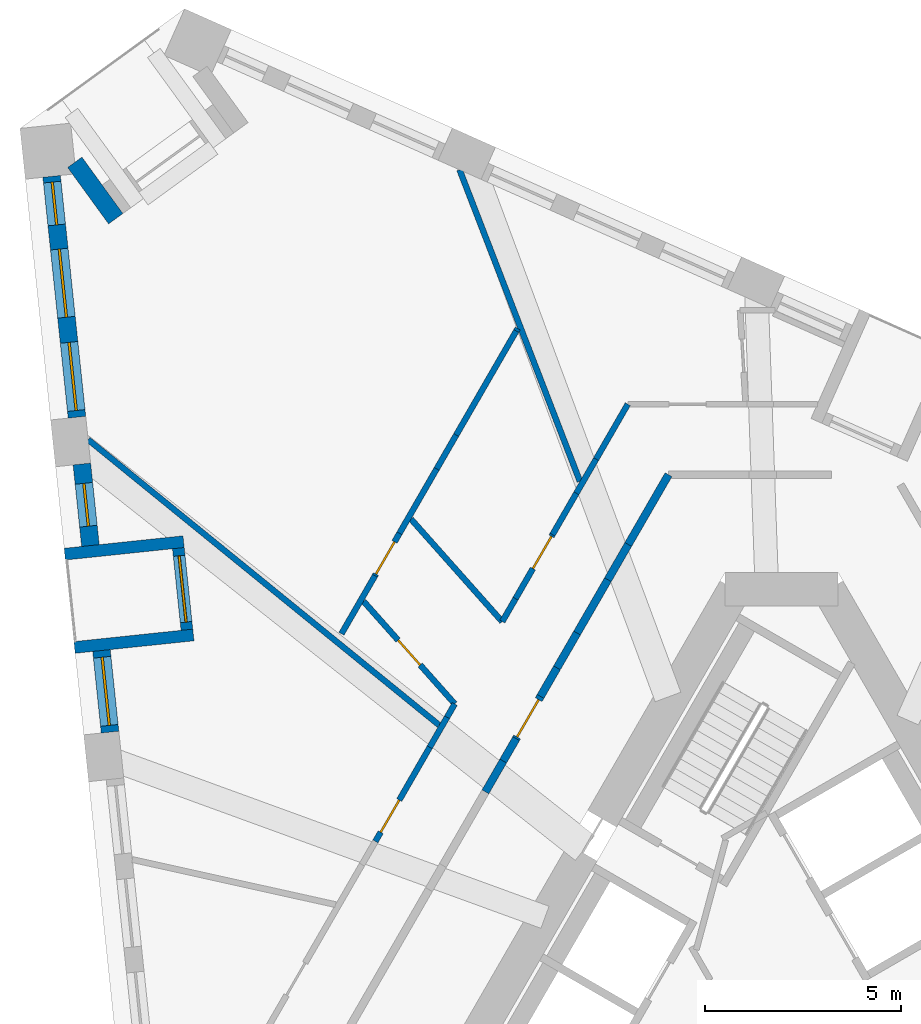
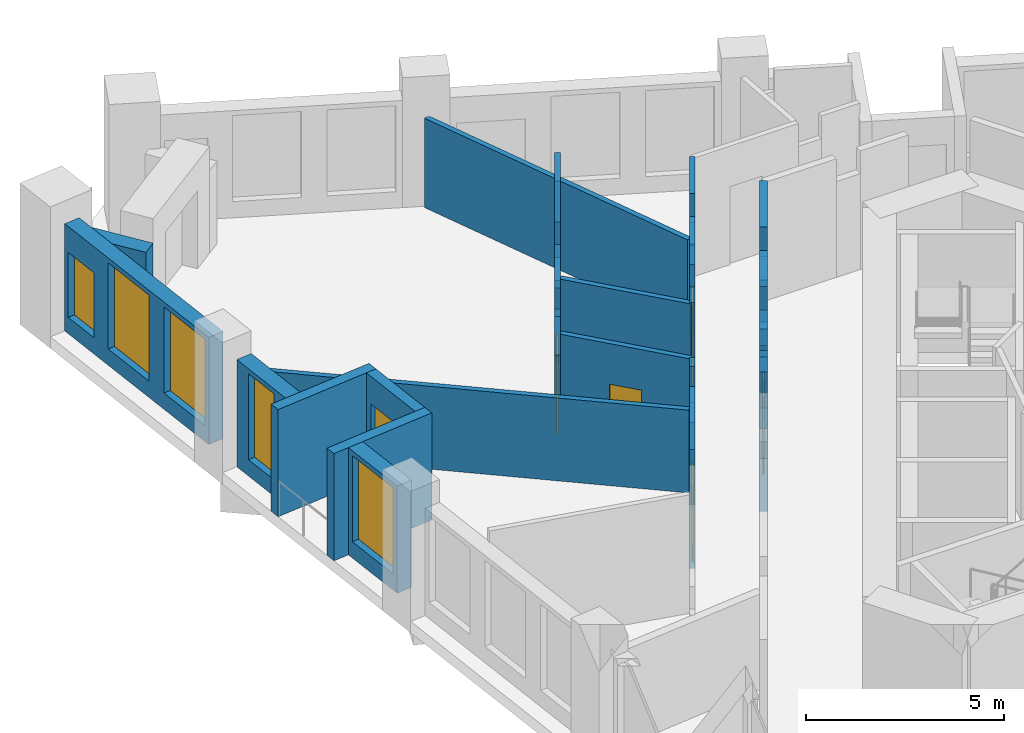
# One storey, part 7 of 14: 33 walls, 6 doors, 5 windows, 11 openings.
"""IFC4 building model written with IfcOpenShell, lengths in metres."""

from ifc_helpers import new_model, si_unit, direction, frame, frame_2d, origin, place, context, subcontext, project, spatial, polyline, rectangle, outline, extrude, material, layer, layer_set, type_object, element, fill, save


model = new_model("IFC4")

# Units and contexts
model_context = context("Model", 3, precision=1e-05, world=origin(), true_north=direction((0.0, 1.0)))
body_context = subcontext(model_context, "Body", "Model", "MODEL_VIEW")
ifc_project = project(units=[si_unit("LENGTHUNIT", "METRE"), si_unit("AREAUNIT", "SQUARE_METRE"), si_unit("VOLUMEUNIT", "CUBIC_METRE"), si_unit("PLANEANGLEUNIT", "RADIAN"), si_unit("MASSUNIT", "GRAM", prefix="KILO")], contexts=[model_context])

# Site, building, storey
site_placement = place(None, origin())
site = spatial("IfcSite", under=ifc_project, at=site_placement, CompositionType="ELEMENT")
building_placement = place(site_placement, origin())
building = spatial("IfcBuilding", under=site, at=building_placement, Name="Tramontana Tower", CompositionType="ELEMENT")
storey_placement = place(building_placement, frame((0.0, 0.0, 162.800048828125)))
storey = spatial("IfcBuildingStorey", under=building, at=storey_placement, Name="L37", CompositionType="ELEMENT", Elevation=162.800048828125)

# Walls
ifc_material_1 = material(Name="Blockwork", Category="masonry")
ifc_layer_1 = layer(ifc_material_1, 0.199951171875)
ifc_layer_set_1 = layer_set([ifc_layer_1], Name="ENTRY WALL 200")
wall_type_1 = type_object("IfcWallType", Name="ENTRY WALL 200", PredefinedType="SOLIDWALL", material=ifc_layer_set_1)
wall_1_placement = place(storey_placement, frame((-7.561279296875, 5.403564453125, 0.0), z_axis=(0.0, 0.0, 1.0), x_axis=(0.499977996243, 0.866038107287, 0.0)))
element("IfcWall", 1, at=wall_1_placement, inside=storey, type_object=wall_type_1, Name="Wall v40-ew4-5", PredefinedType="SOLIDWALL", context=body_context, shape_type="SweptSolid", body=[
    extrude(rectangle(XDim=0.90966796875, YDim=0.199951171875, at=frame_2d((0.454833984375, 0.0))), origin(), (0.0, 0.0, 1.0), 2.550048828125),
])
wall_2_placement = place(storey_placement, frame((-7.1064453125, 6.19140625, 0.0), z_axis=(0.0, 0.0, 1.0), x_axis=(0.500160401961, 0.865932775861, 0.0)))
element("IfcWall", 2, at=wall_2_placement, inside=storey, type_object=wall_type_1, Name="Wall v40-ew4-6", PredefinedType="SOLIDWALL", context=body_context, shape_type="SweptSolid", body=[
    extrude(rectangle(XDim=0.659423828125, YDim=0.199951171875, at=frame_2d((0.32958984375, 0.0))), origin(), (0.0, 0.0, 1.0), 3.64990234375),
])

# Wall, opening, door
wall_3_placement = place(storey_placement, frame((-6.776611328125, 6.762451171875, 0.0), z_axis=(0.0, 0.0, 1.0), x_axis=(0.499977039259, 0.866038659768, 0.0)))
wall_3 = element("IfcWall", 3, at=wall_3_placement, inside=storey, type_object=wall_type_1, Name="Wall v40-ew4-7", PredefinedType="SOLIDWALL", context=body_context, shape_type="SweptSolid", body=[
    extrude(outline(polyline([(0.0, 0.0), (1.2451171875, 0.0), (1.2451171875, 2.550048828125), (0.291748046875, 2.550048828125), (0.291748046875, 3.64990234375), (0.0, 3.64990234375), (0.0, 0.0)])), frame((0.0, 0.10009765625, 0.0), z_axis=(0.0, -1.0, 0.0), x_axis=(1.0, 0.0, 0.0)), (0.0, 0.0, 1.0), 0.199951171875),
])
opening_1_placement = place(wall_3_placement, frame((0.050048828125, 0.0, 0.0)))
opening_1 = element("IfcOpeningElement", 4, at=opening_1_placement, cuts=wall_3, Name="Opening B4A-22", PredefinedType="OPENING", context=body_context, shape_type="SweptSolid", body=[
    extrude(rectangle(XDim=1.10009765625, YDim=2.39990234375, at=frame_2d((0.550048828125, 1.199951171875))), frame((0.0, 0.10986328125, 0.0), z_axis=(0.0, -1.0, 0.0), x_axis=(1.0, 0.0, 0.0)), (0.0, 0.0, 1.0), 0.219970703125),
])
ifc_material_2 = material(Name="Painted timber", Category="wood")
door_type_1 = type_object("IfcDoorType", Name="DOOR ENTRY 1100", OperationType="SINGLE_SWING_LEFT", PredefinedType="DOOR", material=ifc_material_2)
door_1_placement = place(opening_1_placement, origin())
door_1 = element("IfcDoor", 5, at=door_1_placement, inside=storey, type_object=door_type_1, Name="Door B4A-22", OperationType="SINGLE_SWING_RIGHT", OverallHeight=2.39990234375, OverallWidth=1.10009765625, PredefinedType="DOOR", context=body_context, shape_type="SweptSolid", body=[
    extrude(rectangle(XDim=1.10009765625, YDim=2.39990234375, at=frame_2d((0.550048828125, 1.199951171875))), frame((0.0, 0.02490234375, 0.0), z_axis=(0.0, -1.0, 0.0), x_axis=(1.0, 0.0, 0.0)), (0.0, 0.0, 1.0), 0.050048828125),
])
fill(opening_1, door_1)

# Walls
wall_4_placement = place(storey_placement, frame((-6.154052734375, 7.8408203125, 0.0), z_axis=(0.0, 0.0, 1.0), x_axis=(0.499822960955, 0.8661275932, 0.0)))
element("IfcWall", 6, at=wall_4_placement, inside=storey, type_object=wall_type_1, Name="Wall v40-ew4-8", PredefinedType="SOLIDWALL", context=body_context, shape_type="SweptSolid", body=[
    extrude(rectangle(XDim=0.841064453125, YDim=0.199951171875, at=frame_2d((0.42041015625, 0.0))), origin(), (0.0, 0.0, 1.0), 3.64990234375),
])
wall_5_placement = place(storey_placement, frame((-5.733642578125, 8.5693359375, 0.0), z_axis=(0.0, 0.0, 1.0), x_axis=(0.500079402778, 0.865979555715, 0.0)))
element("IfcWall", 7, at=wall_5_placement, inside=storey, type_object=wall_type_1, Name="Wall v40-ew4-9", PredefinedType="SOLIDWALL", context=body_context, shape_type="SweptSolid", body=[
    extrude(rectangle(XDim=1.026123046875, YDim=0.199951171875, at=frame_2d((0.51318359375, 0.0))), origin(), (0.0, 0.0, 1.0), 2.550048828125),
])
wall_6_placement = place(storey_placement, frame((-5.220458984375, 9.4580078125, 0.0), z_axis=(0.0, 0.0, 1.0), x_axis=(0.500031717574, 0.86600709086, 0.0)))
element("IfcWall", 8, at=wall_6_placement, inside=storey, type_object=wall_type_1, Name="Wall v40-ew4-10", PredefinedType="SOLIDWALL", context=body_context, shape_type="SweptSolid", body=[
    extrude(rectangle(XDim=1.57177734375, YDim=0.199951171875, at=frame_2d((0.785888671875, 0.0))), origin(), (0.0, 0.0, 1.0), 3.64990234375),
])
wall_7_placement = place(storey_placement, frame((-4.4345703125, 10.819091796875, 0.0), z_axis=(0.0, 0.0, 1.0), x_axis=(0.500054530113, 0.86599391852, 0.0)))
element("IfcWall", 9, at=wall_7_placement, inside=storey, type_object=wall_type_1, Name="Wall v40-ew4-11", PredefinedType="SOLIDWALL", context=body_context, shape_type="SweptSolid", body=[
    extrude(rectangle(XDim=1.03955078125, YDim=0.199951171875, at=frame_2d((0.519775390625, 0.0))), origin(), (0.0, 0.0, 1.0), 2.75),
])
wall_8_placement = place(storey_placement, frame((-3.914794921875, 11.71923828125, 0.0), z_axis=(0.0, 0.0, 1.0), x_axis=(0.499982825521, 0.866035319247, 0.0)))
element("IfcWall", 10, at=wall_8_placement, inside=storey, type_object=wall_type_1, Name="Wall v40-ew4-12", PredefinedType="SOLIDWALL", context=body_context, shape_type="SweptSolid", body=[
    extrude(rectangle(XDim=2.05615234375, YDim=0.199951171875, at=frame_2d((1.028076171875, 0.0))), origin(), (0.0, 0.0, 1.0), 3.64990234375),
])

# Wall, openings, windows
ifc_material_3 = material(Name="Precast concrete 60 MPa", Category="concrete")
ifc_layer_2 = layer(ifc_material_3, 0.449951171875)
ifc_layer_set_2 = layer_set([ifc_layer_2], Name="Precast concrete 60 MPa, 450 mm")
wall_type_2 = type_object("IfcWallType", Name="EW1 Stone-faced precast wall 450", PredefinedType="SOLIDWALL", material=ifc_layer_set_2)
wall_9_placement = place(storey_placement, frame((-18.63427734375, 21.116455078125, 0.0), z_axis=(0.0, 0.0, 1.0), x_axis=(0.104522399115, -0.994522532718, 0.0)))
wall_9 = element("IfcWall", 11, at=wall_9_placement, inside=storey, type_object=wall_type_2, Name="External wall L37 face 0 bay 1", PredefinedType="SOLIDWALL", context=body_context, shape_type="SweptSolid", body=[
    extrude(rectangle(XDim=6.182861328125, YDim=0.449951171875, at=frame_2d((3.09130859375, 0.0))), origin(), (0.0, 0.0, 1.0), 3.300048828125),
])
opening_2_placement = place(wall_9_placement, frame((0.147216796875, 0.0, 0.5)))
opening_2 = element("IfcOpeningElement", 12, at=opening_2_placement, cuts=wall_9, Name="Opening N2L", PredefinedType="OPENING", context=body_context, shape_type="SweptSolid", body=[
    extrude(rectangle(XDim=1.10009765625, YDim=2.0, at=frame_2d((0.550048828125, 1.0))), frame((0.0, 0.23486328125, 0.0), z_axis=(0.0, -1.0, 0.0), x_axis=(1.0, 0.0, 0.0)), (0.0, 0.0, 1.0), 0.469970703125),
])
opening_3_placement = place(wall_9_placement, frame((1.866455078125, 0.0, 0.5)))
opening_3 = element("IfcOpeningElement", 13, at=opening_3_placement, cuts=wall_9, Name="Opening M2", PredefinedType="OPENING", context=body_context, shape_type="SweptSolid", body=[
    extrude(rectangle(XDim=1.75, YDim=2.64990234375, at=frame_2d((0.875, 1.324951171875))), frame((0.0, 0.23486328125, 0.0), z_axis=(0.0, -1.0, 0.0), x_axis=(1.0, 0.0, 0.0)), (0.0, 0.0, 1.0), 0.469970703125),
])
opening_4_placement = place(wall_9_placement, frame((4.2607421875, 0.0, 0.5)))
opening_4 = element("IfcOpeningElement", 14, at=opening_4_placement, cuts=wall_9, Name="Opening M2", PredefinedType="OPENING", context=body_context, shape_type="SweptSolid", body=[
    extrude(rectangle(XDim=1.75, YDim=2.64990234375, at=frame_2d((0.875, 1.324951171875))), frame((0.0, 0.23486328125, 0.0), z_axis=(0.0, -1.0, 0.0), x_axis=(1.0, 0.0, 0.0)), (0.0, 0.0, 1.0), 0.469970703125),
])
ifc_material_4 = material(Name="Aluminum frame, double glazing unit", Category="aluminium")
window_type_1 = type_object("IfcWindowType", Name="M2 Window 1.75 x 2.65", PartitioningType="SINGLE_PANEL", PredefinedType="WINDOW", material=ifc_material_4)
window_1_placement = place(opening_3_placement, origin())
window_1 = element("IfcWindow", 15, at=window_1_placement, inside=storey, type_object=window_type_1, Name="Window M2 L37 face 0 module 2", OverallHeight=2.64990234375, OverallWidth=1.75, PartitioningType="SINGLE_PANEL", PredefinedType="WINDOW", context=body_context, shape_type="SweptSolid", body=[
    extrude(rectangle(XDim=1.75, YDim=2.64990234375, at=frame_2d((0.875, 1.324951171875))), frame((0.0, 0.030029296875, 0.0), z_axis=(0.0, -1.0, 0.0), x_axis=(1.0, 0.0, 0.0)), (0.0, 0.0, 1.0), 0.06005859375),
])
fill(opening_3, window_1)
window_2_placement = place(opening_4_placement, origin())
window_2 = element("IfcWindow", 16, at=window_2_placement, inside=storey, type_object=window_type_1, Name="Window M2 L37 face 0 module 3", OverallHeight=2.64990234375, OverallWidth=1.75, PartitioningType="SINGLE_PANEL", PredefinedType="WINDOW", context=body_context, shape_type="SweptSolid", body=[
    extrude(rectangle(XDim=1.75, YDim=2.64990234375, at=frame_2d((0.875, 1.324951171875))), frame((0.0, 0.030029296875, 0.0), z_axis=(0.0, -1.0, 0.0), x_axis=(1.0, 0.0, 0.0)), (0.0, 0.0, 1.0), 0.06005859375),
])
fill(opening_4, window_2)
ifc_material_5 = material(Name="Aluminum frame, double glazing unit", Category="aluminium")
window_type_2 = type_object("IfcWindowType", Name="N2L Window 1.1 x 2", PartitioningType="SINGLE_PANEL", PredefinedType="WINDOW", material=ifc_material_5)
window_3_placement = place(opening_2_placement, origin())
window_3 = element("IfcWindow", 17, at=window_3_placement, inside=storey, type_object=window_type_2, Name="Window N2L L37 face 0 module 1", OverallHeight=2.0, OverallWidth=1.10009765625, PartitioningType="SINGLE_PANEL", PredefinedType="WINDOW", context=body_context, shape_type="SweptSolid", body=[
    extrude(rectangle(XDim=1.10009765625, YDim=2.0, at=frame_2d((0.550048828125, 1.0))), frame((0.0, 0.030029296875, 0.0), z_axis=(0.0, -1.0, 0.0), x_axis=(1.0, 0.0, 0.0)), (0.0, 0.0, 1.0), 0.06005859375),
])
fill(opening_2, window_3)

# Wall, opening, window
wall_10_placement = place(storey_placement, frame((-17.862548828125, 13.774169921875, 0.0), z_axis=(0.0, 0.0, 1.0), x_axis=(0.104442071108, -0.994530971756, 0.0)))
wall_10 = element("IfcWall", 18, at=wall_10_placement, inside=storey, type_object=wall_type_2, Name="External wall L37 face 0 bay 2", PredefinedType="SOLIDWALL", context=body_context, shape_type="SweptSolid", body=[
    extrude(rectangle(XDim=2.094482421875, YDim=0.449951171875, at=frame_2d((1.04736328125, 0.0))), origin(), (0.0, 0.0, 1.0), 3.300048828125),
])
opening_5_placement = place(wall_10_placement, frame((0.4970703125, 0.0, 0.5)))
opening_5 = element("IfcOpeningElement", 19, at=opening_5_placement, cuts=wall_10, Name="Opening N2", PredefinedType="OPENING", context=body_context, shape_type="SweptSolid", body=[
    extrude(rectangle(XDim=1.10009765625, YDim=2.64990234375, at=frame_2d((0.550048828125, 1.324951171875))), frame((0.0, 0.23486328125, 0.0), z_axis=(0.0, -1.0, 0.0), x_axis=(1.0, 0.0, 0.0)), (0.0, 0.0, 1.0), 0.469970703125),
])
ifc_material_6 = material(Name="Aluminum frame, double glazing unit", Category="aluminium")
window_type_3 = type_object("IfcWindowType", Name="N2 Window 1.1 x 2.65", PartitioningType="SINGLE_PANEL", PredefinedType="WINDOW", material=ifc_material_6)
window_4_placement = place(opening_5_placement, origin())
window_4 = element("IfcWindow", 20, at=window_4_placement, inside=storey, type_object=window_type_3, Name="Window N2 L37 face 0 module 4", OverallHeight=2.64990234375, OverallWidth=1.10009765625, PartitioningType="SINGLE_PANEL", PredefinedType="WINDOW", context=body_context, shape_type="SweptSolid", body=[
    extrude(rectangle(XDim=1.10009765625, YDim=2.64990234375, at=frame_2d((0.550048828125, 1.324951171875))), frame((0.0, 0.030029296875, 0.0), z_axis=(0.0, -1.0, 0.0), x_axis=(1.0, 0.0, 0.0)), (0.0, 0.0, 1.0), 0.06005859375),
])
fill(opening_5, window_4)

wall_11_placement = place(storey_placement, frame((-17.362060546875, 9.01171875, 0.0), z_axis=(0.0, 0.0, 1.0), x_axis=(0.104569484464, -0.994517583011, 0.0)))
wall_11 = element("IfcWall", 21, at=wall_11_placement, inside=storey, type_object=wall_type_2, Name="External wall L37 face 0 bay 2", PredefinedType="SOLIDWALL", context=body_context, shape_type="SweptSolid", body=[
    extrude(rectangle(XDim=2.09423828125, YDim=0.449951171875, at=frame_2d((1.047119140625, 0.0))), origin(), (0.0, 0.0, 1.0), 3.300048828125),
])
opening_6_placement = place(wall_11_placement, frame((0.172119140625, 0.0, 0.5)))
opening_6 = element("IfcOpeningElement", 22, at=opening_6_placement, cuts=wall_11, Name="Opening M2", PredefinedType="OPENING", context=body_context, shape_type="SweptSolid", body=[
    extrude(rectangle(XDim=1.75, YDim=2.64990234375, at=frame_2d((0.875, 1.324951171875))), frame((0.0, 0.23486328125, 0.0), z_axis=(0.0, -1.0, 0.0), x_axis=(1.0, 0.0, 0.0)), (0.0, 0.0, 1.0), 0.469970703125),
])
window_5_placement = place(opening_6_placement, origin())
window_5 = element("IfcWindow", 23, at=window_5_placement, inside=storey, type_object=window_type_1, Name="Window M2 L37 face 0 module 6", OverallHeight=2.64990234375, OverallWidth=1.75, PartitioningType="SINGLE_PANEL", PredefinedType="WINDOW", context=body_context, shape_type="SweptSolid", body=[
    extrude(rectangle(XDim=1.75, YDim=2.64990234375, at=frame_2d((0.875, 1.324951171875))), frame((0.0, 0.030029296875, 0.0), z_axis=(0.0, -1.0, 0.0), x_axis=(1.0, 0.0, 0.0)), (0.0, 0.0, 1.0), 0.06005859375),
])
fill(opening_6, window_5)

# Wall
wall_12_placement = place(storey_placement, frame((-18.04345703125, 21.474853515625, 0.0), z_axis=(0.0, 0.0, 1.0), x_axis=(0.587722853316, -0.809062326209, 0.0)))
element("IfcWall", 24, at=wall_12_placement, inside=storey, type_object=wall_type_2, Name="Corner loggia side wall L37 K40l", PredefinedType="SOLIDWALL", context=body_context, shape_type="SweptSolid", body=[
    extrude(rectangle(XDim=1.779052734375, YDim=0.449951171875, at=frame_2d((0.8896484375, 0.0))), origin(), (0.0, 0.0, 1.0), 2.550048828125),
])

# Wall, opening, door
ifc_material_7 = material(Name="Precast concrete 60 MPa", Category="concrete")
ifc_layer_3 = layer(ifc_material_7, 0.300048828125)
ifc_layer_set_3 = layer_set([ifc_layer_3], Name="LW1 Stone-faced loggia wall 300")
wall_type_3 = type_object("IfcWallType", Name="LW1 Stone-faced loggia wall 300", PredefinedType="SOLIDWALL", material=ifc_layer_set_3)
wall_13_placement = place(storey_placement, frame((-15.399658203125, 11.62548828125, 0.0), z_axis=(0.0, 0.0, 1.0), x_axis=(0.104569484464, -0.994517583011, 0.0)))
wall_13 = element("IfcWall", 25, at=wall_13_placement, inside=storey, type_object=wall_type_3, Name="Loggia wall L37 G4S0.4", PredefinedType="SOLIDWALL", context=body_context, shape_type="SweptSolid", body=[
    extrude(rectangle(XDim=2.09423828125, YDim=0.300048828125, at=frame_2d((1.047119140625, 0.0))), origin(), (0.0, 0.0, 1.0), 3.300048828125),
])
opening_7_placement = place(wall_13_placement, frame((0.197265625, 0.0, 0.0)))
opening_7 = element("IfcOpeningElement", 26, at=opening_7_placement, cuts=wall_13, Name="Opening BD-4S0-04", PredefinedType="OPENING", context=body_context, shape_type="SweptSolid", body=[
    extrude(rectangle(XDim=1.699951171875, YDim=2.449951171875, at=frame_2d((0.85009765625, 1.22509765625))), frame((0.0, 0.159912109375, 0.0), z_axis=(0.0, -1.0, 0.0), x_axis=(1.0, 0.0, 0.0)), (0.0, 0.0, 1.0), 0.320068359375),
])
ifc_material_8 = material(Name="Aluminum frame, double glazing unit", Category="aluminium")
door_type_2 = type_object("IfcDoorType", Name="BD2 Sliding door 1.7 x 2.45", OperationType="SLIDING_TO_LEFT", PredefinedType="DOOR", material=ifc_material_8)
door_2_placement = place(opening_7_placement, origin())
door_2 = element("IfcDoor", 27, at=door_2_placement, inside=storey, type_object=door_type_2, Name="Loggia door L37 G4S0.4", OperationType="SLIDING_TO_LEFT", OverallHeight=2.449951171875, OverallWidth=1.699951171875, PredefinedType="DOOR", context=body_context, shape_type="SweptSolid", body=[
    extrude(rectangle(XDim=1.699951171875, YDim=2.449951171875, at=frame_2d((0.85009765625, 1.22509765625))), frame((0.0, 0.02490234375, 0.0), z_axis=(0.0, -1.0, 0.0), x_axis=(1.0, 0.0, 0.0)), (0.0, 0.0, 1.0), 0.050048828125),
])
fill(opening_7, door_2)

# Walls
for number, where, z_axis, x_axis, name in (
    (28, (-18.29931640625, 11.471435546875, 0.0), (0.0, 0.0, 1.0), (0.994520355942, 0.104543108891, 0.0), "Loggia return L37 G4S0.4a"),
    (29, (-18.049072265625, 9.09033203125, 0.0), (0.0, 0.0, 1.0), (0.994520355942, 0.104543108891, 0.0), "Loggia return L37 G4S0.4b"),
):
    element("IfcWall", number, at=place(storey_placement, frame(where, z_axis=z_axis, x_axis=x_axis)), inside=storey, type_object=wall_type_3, Name=name, PredefinedType="SOLIDWALL", context=body_context, shape_type="SweptSolid", body=[
        extrude(rectangle(XDim=3.0498046875, YDim=0.300048828125, at=frame_2d((1.52490234375, 0.0))), origin(), (0.0, 0.0, 1.0), 3.300048828125),
    ])

# Wall, opening, door
ifc_material_9 = material(Name="Gypsum board partition")
ifc_layer_4 = layer(ifc_material_9, 0.14990234375)
ifc_layer_set_4 = layer_set([ifc_layer_4], Name="PARTITION 150")
wall_type_4 = type_object("IfcWallType", Name="PARTITION 150", PredefinedType="PARTITIONING", material=ifc_layer_set_4)
wall_14_placement = place(storey_placement, frame((-10.369384765625, 4.1396484375, 0.0), z_axis=(0.0, 0.0, 1.0), x_axis=(0.50000932403, 0.866020020486, 0.0)))
wall_14 = element("IfcWall", 30, at=wall_14_placement, inside=storey, type_object=wall_type_4, Name="Wall v40-pw03-3", PredefinedType="PARTITIONING", context=body_context, shape_type="SweptSolid", body=[
    extrude(rectangle(XDim=2.77490234375, YDim=0.14990234375, at=frame_2d((1.387451171875, 0.0))), origin(), (0.0, 0.0, 1.0), 3.64990234375),
])
opening_8_placement = place(wall_14_placement, frame((0.269775390625, 0.0, 0.0)))
opening_8 = element("IfcOpeningElement", 31, at=opening_8_placement, cuts=wall_14, Name="Opening B4A-05", PredefinedType="OPENING", context=body_context, shape_type="SweptSolid", body=[
    extrude(rectangle(XDim=0.949951171875, YDim=2.39990234375, at=frame_2d((0.47509765625, 1.199951171875))), frame((0.0, 0.0849609375, 0.0), z_axis=(0.0, -1.0, 0.0), x_axis=(1.0, 0.0, 0.0)), (0.0, 0.0, 1.0), 0.169921875),
])
ifc_material_10 = material(Name="Painted timber", Category="wood")
door_type_3 = type_object("IfcDoorType", Name="DOOR ROOM 950", OperationType="SINGLE_SWING_LEFT", PredefinedType="DOOR", material=ifc_material_10)
door_3_placement = place(opening_8_placement, origin())
door_3 = element("IfcDoor", 32, at=door_3_placement, inside=storey, type_object=door_type_3, Name="Door B4A-05", OperationType="SINGLE_SWING_LEFT", OverallHeight=2.39990234375, OverallWidth=0.949951171875, PredefinedType="DOOR", context=body_context, shape_type="SweptSolid", body=[
    extrude(rectangle(XDim=0.949951171875, YDim=2.39990234375, at=frame_2d((0.47509765625, 1.199951171875))), frame((0.0, 0.02490234375, 0.0), z_axis=(0.0, -1.0, 0.0), x_axis=(1.0, 0.0, 0.0)), (0.0, 0.0, 1.0), 0.050048828125),
])
fill(opening_8, door_3)

# Walls
wall_15_placement = place(storey_placement, frame((-8.98193359375, 6.542724609375, 0.0), z_axis=(0.0, 0.0, 1.0), x_axis=(0.499969398072, 0.866043071095, 0.0)))
element("IfcWall", 33, at=wall_15_placement, inside=storey, type_object=wall_type_4, Name="Wall v40-pw03-4", PredefinedType="PARTITIONING", context=body_context, shape_type="SweptSolid", body=[
    extrude(rectangle(XDim=0.88427734375, YDim=0.14990234375, at=frame_2d((0.442138671875, 0.0))), origin(), (0.0, 0.0, 1.0), 2.550048828125),
])
wall_16_placement = place(storey_placement, frame((-8.539794921875, 7.30859375, 0.0), z_axis=(0.0, 0.0, 1.0), x_axis=(0.499758416753, 0.866164837017, 0.0)))
element("IfcWall", 34, at=wall_16_placement, inside=storey, type_object=wall_type_4, Name="Wall v40-pw03-5", PredefinedType="PARTITIONING", context=body_context, shape_type="SweptSolid", body=[
    extrude(rectangle(XDim=0.391845703125, YDim=0.14990234375, at=frame_2d((0.19580078125, 0.0))), origin(), (0.0, 0.0, 1.0), 3.64990234375),
])
wall_17_placement = place(storey_placement, frame((-11.2353515625, 9.439697265625, 0.0), z_axis=(0.0, 0.0, 1.0), x_axis=(0.499977863513, 0.866038183914, 0.0)))
element("IfcWall", 35, at=wall_17_placement, inside=storey, type_object=wall_type_4, Name="Wall v40-pw06-1", PredefinedType="PARTITIONING", context=body_context, shape_type="SweptSolid", body=[
    extrude(rectangle(XDim=1.7099609375, YDim=0.14990234375, at=frame_2d((0.85498046875, 0.0))), origin(), (0.0, 0.0, 1.0), 3.64990234375),
])

# Wall, opening, door
wall_18_placement = place(storey_placement, frame((-10.38037109375, 10.920654296875, 0.0), z_axis=(0.0, 0.0, 1.0), x_axis=(0.499998165157, 0.866026463129, 0.0)))
wall_18 = element("IfcWall", 36, at=wall_18_placement, inside=storey, type_object=wall_type_4, Name="Wall v40-pw06-2", PredefinedType="PARTITIONING", context=body_context, shape_type="SweptSolid", body=[
    extrude(outline(polyline([(0.0, 0.0), (1.251953125, 0.0), (1.252197265625, 2.550048828125), (0.3251953125, 2.550048828125), (0.3251953125, 3.64990234375), (0.0, 3.64990234375), (0.0, 0.0)])), frame((0.0, 0.074951171875, 0.0), z_axis=(0.0, -1.0, 0.0), x_axis=(1.0, 0.0, 0.0)), (0.0, 0.0, 1.0), 0.14990234375),
])
opening_9_placement = place(wall_18_placement, frame((0.050048828125, 0.0, 0.0)))
opening_9 = element("IfcOpeningElement", 37, at=opening_9_placement, cuts=wall_18, Name="Opening B4A-03", PredefinedType="OPENING", context=body_context, shape_type="SweptSolid", body=[
    extrude(rectangle(XDim=0.949951171875, YDim=2.39990234375, at=frame_2d((0.47509765625, 1.199951171875))), frame((0.0, 0.0849609375, 0.0), z_axis=(0.0, -1.0, 0.0), x_axis=(1.0, 0.0, 0.0)), (0.0, 0.0, 1.0), 0.169921875),
])
door_4_placement = place(opening_9_placement, origin())
door_4 = element("IfcDoor", 38, at=door_4_placement, inside=storey, type_object=door_type_3, Name="Door B4A-03", OperationType="SINGLE_SWING_LEFT", OverallHeight=2.39990234375, OverallWidth=0.949951171875, PredefinedType="DOOR", context=body_context, shape_type="SweptSolid", body=[
    extrude(rectangle(XDim=0.949951171875, YDim=2.39990234375, at=frame_2d((0.47509765625, 1.199951171875))), frame((0.0, 0.02490234375, 0.0), z_axis=(0.0, -1.0, 0.0), x_axis=(1.0, 0.0, 0.0)), (0.0, 0.0, 1.0), 0.050048828125),
])
fill(opening_9, door_4)

# Walls
wall_19_placement = place(storey_placement, frame((-9.75439453125, 12.0048828125, 0.0), z_axis=(0.0, 0.0, 1.0), x_axis=(0.499971120268, 0.866042076863, 0.0)))
element("IfcWall", 39, at=wall_19_placement, inside=storey, type_object=wall_type_4, Name="Wall v40-pw06-3", PredefinedType="PARTITIONING", context=body_context, shape_type="SweptSolid", body=[
    extrude(rectangle(XDim=1.89794921875, YDim=0.14990234375, at=frame_2d((0.948974609375, 0.0))), origin(), (0.0, 0.0, 1.0), 3.64990234375),
])
wall_20_placement = place(storey_placement, frame((-8.805419921875, 13.648681640625, 0.0), z_axis=(0.0, 0.0, 1.0), x_axis=(0.499955472713, 0.866051110099, 0.0)))
element("IfcWall", 40, at=wall_20_placement, inside=storey, type_object=wall_type_4, Name="Wall v40-pw06-4", PredefinedType="PARTITIONING", context=body_context, shape_type="SweptSolid", body=[
    extrude(rectangle(XDim=0.99755859375, YDim=0.14990234375, at=frame_2d((0.498779296875, 0.0))), origin(), (0.0, 0.0, 1.0), 2.550048828125),
])
wall_21_placement = place(storey_placement, frame((-8.306640625, 14.5126953125, 0.0), z_axis=(0.0, 0.0, 1.0), x_axis=(0.500034855457, 0.866005279042, 0.0)))
element("IfcWall", 41, at=wall_21_placement, inside=storey, type_object=wall_type_4, Name="Wall v40-pw06-5", PredefinedType="PARTITIONING", context=body_context, shape_type="SweptSolid", body=[
    extrude(rectangle(XDim=3.066650390625, YDim=0.14990234375, at=frame_2d((1.533203125, 0.0))), origin(), (0.0, 0.0, 1.0), 3.64990234375),
])
wall_22_placement = place(storey_placement, frame((-6.773193359375, 17.16845703125, 0.0), z_axis=(0.0, 0.0, 1.0), x_axis=(0.501423782413, 0.865201820635, 0.0)))
element("IfcWall", 42, at=wall_22_placement, inside=storey, type_object=wall_type_4, Name="Wall v40-pw06-6", PredefinedType="PARTITIONING", context=body_context, shape_type="SweptSolid", body=[
    extrude(rectangle(XDim=0.074462890625, YDim=0.14990234375, at=frame_2d((0.037109375, 0.0))), origin(), (0.0, 0.0, 1.0), 2.75),
])
wall_23_placement = place(storey_placement, frame((-9.459228515625, 12.36572265625, 0.0), z_axis=(0.0, 0.0, 1.0), x_axis=(0.664589031093, -0.747209087037, 0.0)))
element("IfcWall", 43, at=wall_23_placement, inside=storey, type_object=wall_type_4, Name="Wall v40-pw09", PredefinedType="PARTITIONING", context=body_context, shape_type="SweptSolid", body=[
    extrude(rectangle(XDim=3.498779296875, YDim=0.14990234375, at=frame_2d((1.74951171875, 0.0))), origin(), (0.0, 0.0, 1.0), 3.64990234375),
])
wall_24_placement = place(storey_placement, frame((-8.741943359375, 7.108642578125, 0.0), z_axis=(0.0, 0.0, 1.0), x_axis=(-0.775864969599, 0.630899000593, 0.0)))
element("IfcWall", 44, at=wall_24_placement, inside=storey, type_object=wall_type_4, Name="Wall v40-pw10-0", PredefinedType="PARTITIONING", context=body_context, shape_type="SweptSolid", body=[
    extrude(rectangle(XDim=11.548095703125, YDim=0.14990234375, at=frame_2d((5.77392578125, 0.0))), origin(), (0.0, 0.0, 1.0), 2.550048828125),
])

# Wall, opening, door
wall_25_placement = place(storey_placement, frame((-8.34423828125, 7.6513671875, 0.0), z_axis=(0.0, 0.0, 1.0), x_axis=(-0.664580231794, 0.747216913292, 0.0)))
wall_25 = element("IfcWall", 45, at=wall_25_placement, inside=storey, type_object=wall_type_4, Name="Wall v40-pw11", PredefinedType="PARTITIONING", context=body_context, shape_type="SweptSolid", body=[
    extrude(rectangle(XDim=3.5009765625, YDim=0.14990234375, at=frame_2d((1.75048828125, 0.0))), origin(), (0.0, 0.0, 1.0), 3.64990234375),
])
opening_10_placement = place(wall_25_placement, frame((1.325439453125, 0.0, 0.0)))
opening_10 = element("IfcOpeningElement", 46, at=opening_10_placement, cuts=wall_25, Name="Opening B4A-02", PredefinedType="OPENING", context=body_context, shape_type="SweptSolid", body=[
    extrude(rectangle(XDim=0.85009765625, YDim=2.39990234375, at=frame_2d((0.425048828125, 1.199951171875))), frame((0.0, 0.0849609375, 0.0), z_axis=(0.0, -1.0, 0.0), x_axis=(1.0, 0.0, 0.0)), (0.0, 0.0, 1.0), 0.169921875),
])
ifc_material_11 = material(Name="Painted timber", Category="wood")
door_type_4 = type_object("IfcDoorType", Name="DOOR BATH 850", OperationType="SINGLE_SWING_LEFT", PredefinedType="DOOR", material=ifc_material_11)
door_5_placement = place(opening_10_placement, origin())
door_5 = element("IfcDoor", 47, at=door_5_placement, inside=storey, type_object=door_type_4, Name="Door B4A-02", OperationType="SINGLE_SWING_RIGHT", OverallHeight=2.39990234375, OverallWidth=0.85009765625, PredefinedType="DOOR", context=body_context, shape_type="SweptSolid", body=[
    extrude(rectangle(XDim=0.85009765625, YDim=2.39990234375, at=frame_2d((0.425048828125, 1.199951171875))), frame((0.0, 0.02490234375, 0.0), z_axis=(0.0, -1.0, 0.0), x_axis=(1.0, 0.0, 0.0)), (0.0, 0.0, 1.0), 0.050048828125),
])
fill(opening_10, door_5)

# Walls
wall_26_placement = place(storey_placement, frame((-8.2197265625, 21.283203125, 0.0), z_axis=(0.0, 0.0, 1.0), x_axis=(0.360262770677, -0.932850864857, 0.0)))
element("IfcWall", 48, at=wall_26_placement, inside=storey, type_object=wall_type_4, Name="Wall v40-pw12-0", PredefinedType="PARTITIONING", context=body_context, shape_type="SweptSolid", body=[
    extrude(rectangle(XDim=8.523681640625, YDim=0.14990234375, at=frame_2d((4.26171875, 0.0))), origin(), (0.0, 0.0, 1.0), 2.75),
])
wall_27_placement = place(storey_placement, frame((-7.129150390625, 9.751953125, 0.0), z_axis=(0.0, 0.0, 1.0), x_axis=(0.500036104519, 0.866004557827, 0.0)))
element("IfcWall", 49, at=wall_27_placement, inside=storey, type_object=wall_type_4, Name="Wall v40-pw13-0", PredefinedType="PARTITIONING", context=body_context, shape_type="SweptSolid", body=[
    extrude(rectangle(XDim=0.673828125, YDim=0.14990234375, at=frame_2d((0.3369140625, 0.0))), origin(), (0.0, 0.0, 1.0), 3.64990234375),
])

# Wall, opening, door
wall_28_placement = place(storey_placement, frame((-6.792236328125, 10.33544921875, 0.0), z_axis=(0.0, 0.0, 1.0), x_axis=(0.499991068497, 0.866030560329, 0.0)))
wall_28 = element("IfcWall", 50, at=wall_28_placement, inside=storey, type_object=wall_type_4, Name="Wall v40-pw13-1", PredefinedType="PARTITIONING", context=body_context, shape_type="SweptSolid", body=[
    extrude(outline(polyline([(0.0, 0.0), (1.88818359375, 0.0), (1.887939453125, 3.64990234375), (0.997802734375, 3.64990234375), (0.997802734375, 2.550048828125), (0.0, 2.550048828125), (0.0, 0.0)])), frame((0.0, 0.074951171875, 0.0), z_axis=(0.0, -1.0, 0.0), x_axis=(1.0, 0.0, 0.0)), (0.0, 0.0, 1.0), 0.14990234375),
])
opening_11_placement = place(wall_28_placement, frame((0.887939453125, 0.0, 0.0)))
opening_11 = element("IfcOpeningElement", 51, at=opening_11_placement, cuts=wall_28, Name="Opening B4A-01", PredefinedType="OPENING", context=body_context, shape_type="SweptSolid", body=[
    extrude(rectangle(XDim=0.949951171875, YDim=2.39990234375, at=frame_2d((0.47509765625, 1.199951171875))), frame((0.0, 0.0849609375, 0.0), z_axis=(0.0, -1.0, 0.0), x_axis=(1.0, 0.0, 0.0)), (0.0, 0.0, 1.0), 0.169921875),
])
door_6_placement = place(opening_11_placement, origin())
door_6 = element("IfcDoor", 52, at=door_6_placement, inside=storey, type_object=door_type_3, Name="Door B4A-01", OperationType="SINGLE_SWING_LEFT", OverallHeight=2.39990234375, OverallWidth=0.949951171875, PredefinedType="DOOR", context=body_context, shape_type="SweptSolid", body=[
    extrude(rectangle(XDim=0.949951171875, YDim=2.39990234375, at=frame_2d((0.47509765625, 1.199951171875))), frame((0.0, 0.02490234375, 0.0), z_axis=(0.0, -1.0, 0.0), x_axis=(1.0, 0.0, 0.0)), (0.0, 0.0, 1.0), 0.050048828125),
])
fill(opening_11, door_6)

# Walls
wall_29_placement = place(storey_placement, frame((-5.84814453125, 11.970703125, 0.0), z_axis=(0.0, 0.0, 1.0), x_axis=(0.500017246033, 0.866015446554, 0.0)))
element("IfcWall", 53, at=wall_29_placement, inside=storey, type_object=wall_type_4, Name="Wall v40-pw13-2", PredefinedType="PARTITIONING", context=body_context, shape_type="SweptSolid", body=[
    extrude(rectangle(XDim=1.21875, YDim=0.14990234375, at=frame_2d((0.609375, 0.0))), origin(), (0.0, 0.0, 1.0), 3.64990234375),
])
wall_30_placement = place(storey_placement, frame((-5.23876953125, 13.026123046875, 0.0), z_axis=(0.0, 0.0, 1.0), x_axis=(0.499946326053, 0.866056390234, 0.0)))
element("IfcWall", 54, at=wall_30_placement, inside=storey, type_object=wall_type_4, Name="Wall v40-pw13-3", PredefinedType="PARTITIONING", context=body_context, shape_type="SweptSolid", body=[
    extrude(rectangle(XDim=1.0068359375, YDim=0.14990234375, at=frame_2d((0.50341796875, 0.0))), origin(), (0.0, 0.0, 1.0), 2.75),
])
wall_31_placement = place(storey_placement, frame((-4.7353515625, 13.898193359375, 0.0), z_axis=(0.0, 0.0, 1.0), x_axis=(0.499983569942, 0.866034889475, 0.0)))
element("IfcWall", 55, at=wall_31_placement, inside=storey, type_object=wall_type_4, Name="Wall v40-pw13-4", PredefinedType="PARTITIONING", context=body_context, shape_type="SweptSolid", body=[
    extrude(rectangle(XDim=1.61865234375, YDim=0.14990234375, at=frame_2d((0.809326171875, 0.0))), origin(), (0.0, 0.0, 1.0), 3.64990234375),
])

save(model, "model.ifc")
